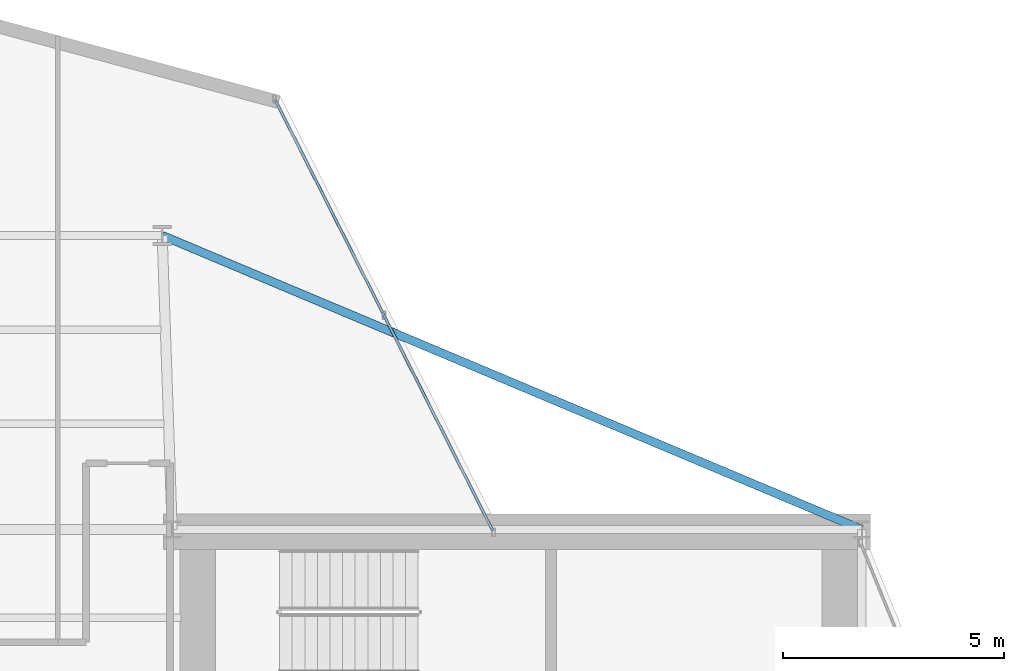
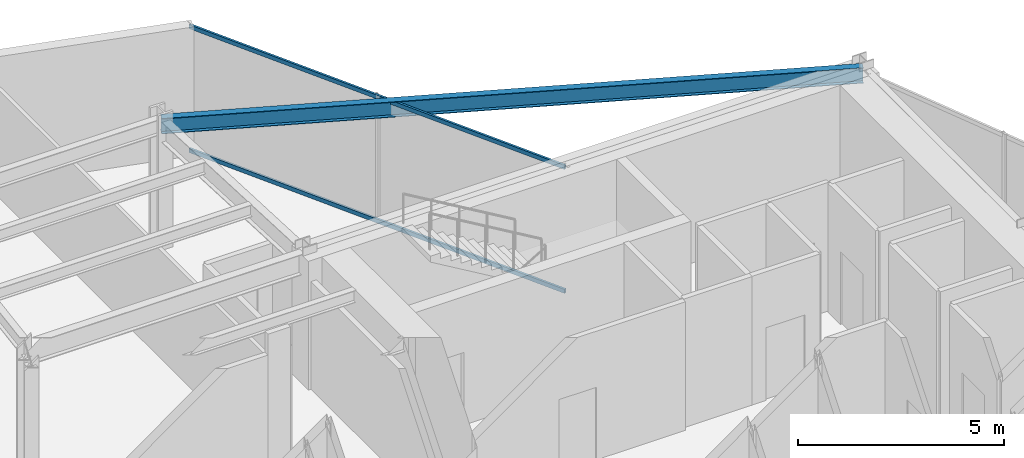
# One storey, part 17 of 25: 2 members, 1 beam, 1 element without a shape of its own.
"""IFC4 building model written with IfcOpenShell, lengths in metres."""

from ifc_helpers import new_model, si_unit, direction, frame, origin, origin_2d, place, context, subcontext, project, spatial, hollow_rectangle, i_section, extrude, material, layer, layer_set, material_profile, profile_set, type_object, element, aggregate, save


model = new_model("IFC4")

# Units and contexts
model_context = context("Model", 3, precision=1e-05, world=origin(), true_north=direction((0.0, 1.0)))
body_context = subcontext(model_context, "Body", "Model", "MODEL_VIEW")
ifc_project = project(units=[si_unit("LENGTHUNIT", "METRE"), si_unit("AREAUNIT", "SQUARE_METRE"), si_unit("VOLUMEUNIT", "CUBIC_METRE"), si_unit("PLANEANGLEUNIT", "RADIAN"), si_unit("MASSUNIT", "GRAM", prefix="KILO")], contexts=[model_context])

# Site, building, storey
site_placement = place(None, origin())
site = spatial("IfcSite", under=ifc_project, at=site_placement, CompositionType="ELEMENT")
building_placement = place(site_placement, origin())
building = spatial("IfcBuilding", under=site, at=building_placement, Name="Veymaron Broadcast Tower", CompositionType="ELEMENT")
storey_placement = place(building_placement, frame((0.0, 0.0, 129.0)))
storey = spatial("IfcBuildingStorey", under=building, at=storey_placement, Name="L29", CompositionType="ELEMENT", Elevation=129.0)

# Beam
ifc_material_1 = material(Name="Structural steel ASTM A992 Gr 50", Category="steel")
ifc_material_profile_1 = material_profile(ifc_material_1, i_section(OverallWidth=0.19091796875, OverallDepth=0.4599609375, WebThickness=0.010009765625, FlangeThickness=0.01611328125, at=origin_2d()), Name="W460X82")
ifc_profile_set_1 = profile_set([ifc_material_profile_1], Name="Structural steel ASTM A992 Gr 50")
beam_type = type_object("IfcBeamType", Name="BM-SP1", PredefinedType="SPANDREL", material=ifc_profile_set_1)
beam_placement = place(storey_placement, frame((54.60009765625, 32.0, 3.580078125), z_axis=(-0.921913032928, 0.38739690205, 0.0), x_axis=(-0.38739690205, -0.921913032928, 0.0)))
element("IfcBeam", 1, at=beam_placement, inside=storey, type_object=beam_type, Name="L29 primary structural floor girder", PredefinedType="SPANDREL", context=body_context, shape_type="SweptSolid", body=[
    extrude(i_section(OverallWidth=0.19091796875, OverallDepth=0.4599609375, WebThickness=0.010009765625, FlangeThickness=0.01611328125, at=origin_2d()), origin(), (0.0, 0.0, 1.0), 17.16552734375),
])

# Curtain wall, members
ifc_material_2 = material(Name="Anodised aluminium AA 6063-T6 and laminated low-E dark glass", Category="aluminium")
ifc_layer = layer(ifc_material_2, 0.179931640625)
ifc_layer_set = layer_set([ifc_layer], Name="Anodised aluminium AA 6063-T6 and laminated low-E dark glass")
curtain_wall_type = type_object("IfcCurtainWallType", Name="CW-SYS-03", PredefinedType="NOTDEFINED", material=ifc_layer_set)
curtain_wall_placement = place(storey_placement, origin())
curtain_wall = element("IfcCurtainWall", 2, at=curtain_wall_placement, inside=storey, type_object=curtain_wall_type, Name="L29 dark-glass curtain wall CW-L29-E5-1", PredefinedType="NOTDEFINED")
ifc_material_3 = material(Name="Anodised aluminium AA 6063-T6", Category="aluminium")
ifc_material_profile_2 = material_profile(ifc_material_3, hollow_rectangle(XDim=0.06005859375, YDim=0.1201171875, WallThickness=0.00390625, at=origin_2d()), Name="AL120X60X4")
ifc_profile_set_2 = profile_set([ifc_material_profile_2], Name="Anodised aluminium AA 6063-T6")
member_type = type_object("IfcMemberType", Name="CW-TRN-02", PredefinedType="USERDEFINED", material=ifc_profile_set_2)
member_1_placement = place(storey_placement, frame((46.248291015625, 31.9814453125, 0.070068359375), z_axis=(-0.45091301008, 0.892567900689, 0.0), x_axis=(-0.892567900689, -0.45091301008, 0.0)))
member_1 = element("IfcMember", 3, at=member_1_placement, type_object=member_type, Name="CW-L29-E5-1 transom B", ObjectType="TRANSOM", PredefinedType="USERDEFINED", context=body_context, shape_type="SweptSolid", body=[
    extrude(hollow_rectangle(XDim=0.06005859375, YDim=0.1201171875, WallThickness=0.00390625, at=origin_2d()), origin(), (0.0, 0.0, 1.0), 10.890869140625),
])
member_2_placement = place(storey_placement, frame((46.248291015625, 31.9814453125, 3.739990234375), z_axis=(-0.45091301008, 0.892567900689, 0.0), x_axis=(-0.892567900689, -0.45091301008, 0.0)))
member_2 = element("IfcMember", 4, at=member_2_placement, type_object=member_type, Name="CW-L29-E5-1 transom T", ObjectType="TRANSOM", PredefinedType="USERDEFINED", context=body_context, shape_type="SweptSolid", body=[
    extrude(hollow_rectangle(XDim=0.06005859375, YDim=0.1201171875, WallThickness=0.00390625, at=origin_2d()), origin(), (0.0, 0.0, 1.0), 10.890869140625),
])
aggregate(curtain_wall, [member_1, member_2])

save(model, "model.ifc")
